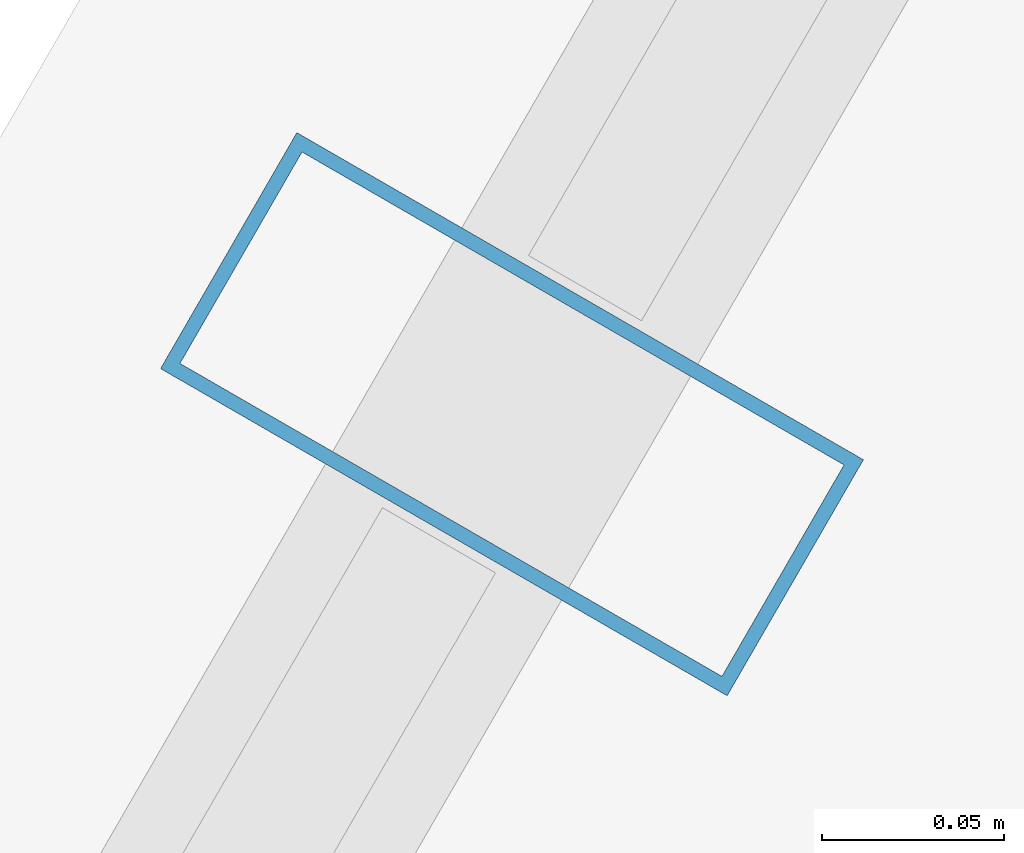
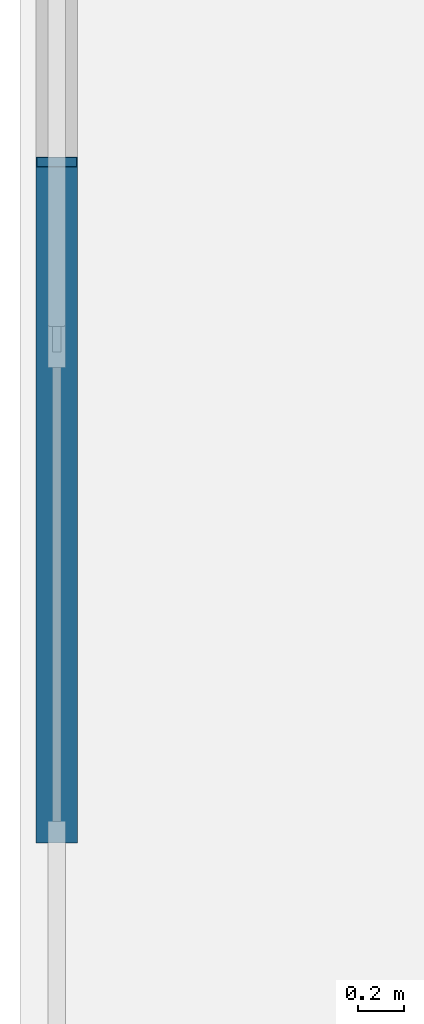
# One storey, part 15 of 32: 1 member, 1 element without a shape of its own.
"""IFC4 building model written with IfcOpenShell, lengths in metres."""

from ifc_helpers import new_model, si_unit, direction, frame, origin, origin_2d, place, context, subcontext, project, spatial, hollow_rectangle, extrude, material, layer, layer_set, material_profile, profile_set, type_object, element, aggregate, save


model = new_model("IFC4")

# Units and contexts
model_context = context("Model", 3, precision=1e-05, world=origin(), true_north=direction((0.0, 1.0)))
body_context = subcontext(model_context, "Body", "Model", "MODEL_VIEW")
ifc_project = project(units=[si_unit("LENGTHUNIT", "METRE"), si_unit("AREAUNIT", "SQUARE_METRE"), si_unit("VOLUMEUNIT", "CUBIC_METRE"), si_unit("PLANEANGLEUNIT", "RADIAN"), si_unit("MASSUNIT", "GRAM", prefix="KILO")], contexts=[model_context])

# Site, building, storey
site_placement = place(None, origin())
site = spatial("IfcSite", under=ifc_project, at=site_placement, CompositionType="ELEMENT")
building_placement = place(site_placement, origin())
building = spatial("IfcBuilding", under=site, at=building_placement, Name="Ndaravel Arena Tower", CompositionType="ELEMENT")
storey_placement = place(building_placement, frame((0.0, 0.0, 96.800048828125)))
storey = spatial("IfcBuildingStorey", under=building, at=storey_placement, Name="L22", CompositionType="ELEMENT", Elevation=96.800048828125)

# Curtain wall, member
ifc_material_1 = material(Name="Aluminium", Category="aluminium")
ifc_layer = layer(ifc_material_1, 0.179931640625)
ifc_layer_set = layer_set([ifc_layer], Name="Aluminium")
curtain_wall_type = type_object("IfcCurtainWallType", Name="CW-SYS-03", PredefinedType="NOTDEFINED", material=ifc_layer_set)
curtain_wall_placement = place(storey_placement, origin())
curtain_wall = element("IfcCurtainWall", 1, at=curtain_wall_placement, inside=storey, type_object=curtain_wall_type, Name="L22 Faceted Crystal Curtain Wall CW-L22-E05", PredefinedType="NOTDEFINED")
ifc_material_2 = material(Name="Aluminium", Category="aluminium")
ifc_material_profile = material_profile(ifc_material_2, hollow_rectangle(XDim=0.074951171875, YDim=0.179931640625, WallThickness=0.00390625, at=origin_2d()), Name="CW MULLION 75x180x4")
ifc_profile_set = profile_set([ifc_material_profile], Name="Aluminium")
member_type = type_object("IfcMemberType", Name="MEM-CW-MUL180", PredefinedType="MULLION", material=ifc_profile_set)
member_placement = place(storey_placement, frame((28.841796875, 35.14404296875, 0.0), z_axis=(0.0, 0.0, 1.0), x_axis=(-0.5, -0.866025403784, 0.0)))
member = element("IfcMember", 2, at=member_placement, type_object=member_type, Name="CW-L22-E05 Mullion 03", PredefinedType="MULLION", context=body_context, shape_type="SweptSolid", body=[
    extrude(hollow_rectangle(XDim=0.074951171875, YDim=0.179931640625, WallThickness=0.00390625, at=origin_2d()), origin(), (0.0, 0.0, 1.0), 3.579833984375),
])
aggregate(curtain_wall, [member])

save(model, "model.ifc")
